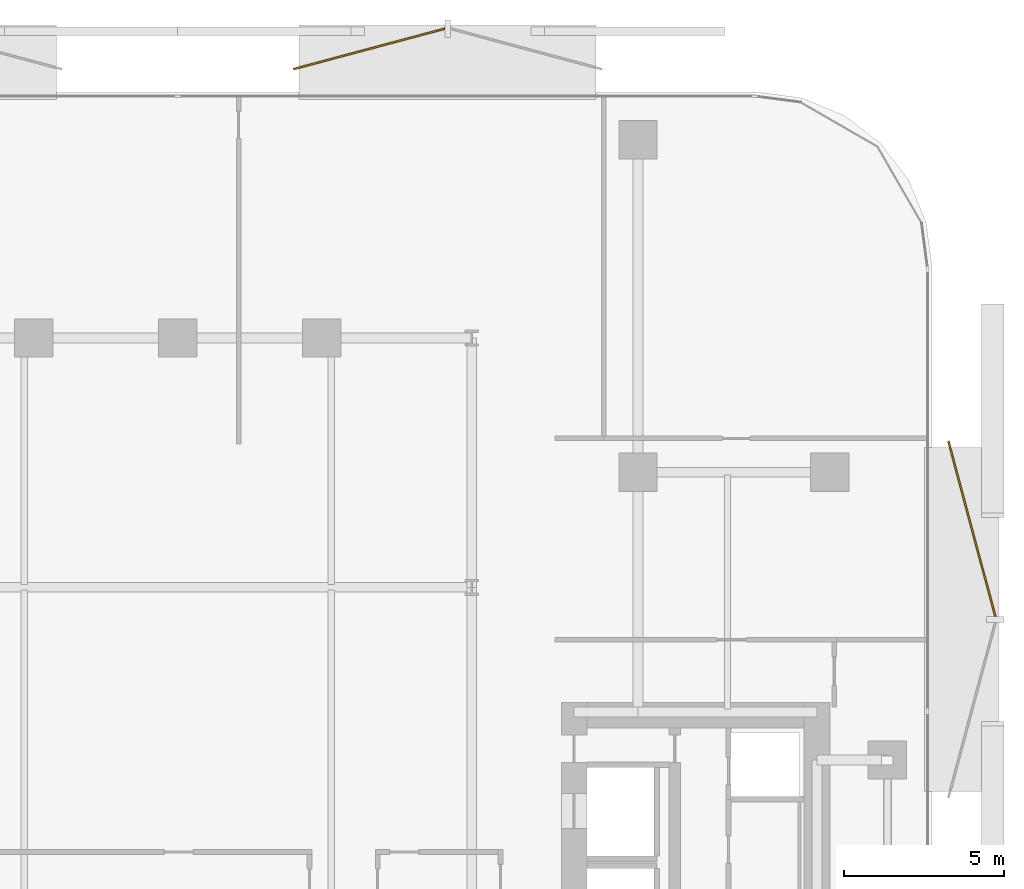
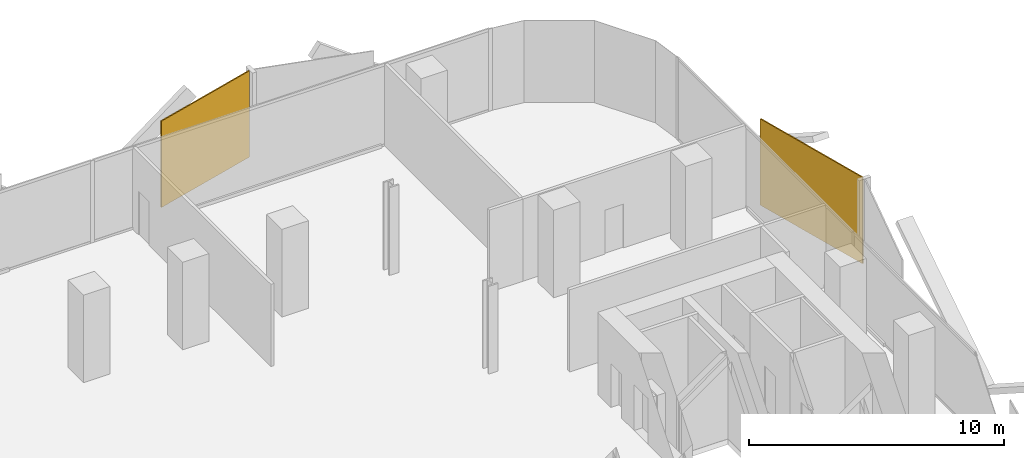
# One storey, part 15 of 15: 2 coverings.
"""IFC4 building model written with IfcOpenShell, lengths in metres."""

import ifcopenshell
import ifcopenshell.guid

model = None  # the IFC model being written
_history = None  # IfcOwnerHistory: only IFC2X3 demands one
_inside = {}  # id of a spatial element -> (the spatial element, [elements in it])
_under = {}  # id of a project, library or spatial element -> (it, [spatial elements below it])
_declared = {}  # id of a project -> (the project, [libraries it declares])
_typed = {}  # id of a type object -> (the type object, [elements of that type])
_made_of = {}  # id of a material, layer set ... -> (it, [elements and type objects made of it])


def new_model(schema):
    """Start an empty IFC model of exactly this schema.

    Asked for "IFC4X3", IfcOpenShell would pick the latest addendum, in which some entities
    have other attributes; the version numbers below select the first issue.
    IFC2X3 requires an IfcOwnerHistory on every rooted entity: one is made here for all.
    """
    global model, _history
    if schema == "IFC4X3":
        model = ifcopenshell.file(schema_version=(4, 3, 0, 0))
    else:
        model = ifcopenshell.file(schema=schema)
    _inside.clear()
    _under.clear()
    _declared.clear()
    _typed.clear()
    _made_of.clear()
    _history = None
    if model.schema == "IFC2X3":
        org = make("IfcOrganization", Name="unknown")
        user = make(
            "IfcPersonAndOrganization",
            ThePerson=make("IfcPerson", FamilyName="unknown"),
            TheOrganization=org,
        )
        app = make(
            "IfcApplication",
            ApplicationDeveloper=org,
            Version="unknown",
            ApplicationFullName="unknown",
            ApplicationIdentifier="unknown",
        )
        _history = make(
            "IfcOwnerHistory",
            OwningUser=user,
            OwningApplication=app,
            ChangeAction="ADDED",
            CreationDate=0,
        )
    return model


def make(cls, **values):
    """One entity of the class cls with the attributes given. An attribute that is None is left unset."""
    return model.create_entity(
        cls, **{name: value for name, value in values.items() if value is not None}
    )


def rooted(cls, **values):
    """An entity with a GlobalId (a new one), such as an element, a storey or a relation."""
    return make(cls, GlobalId=ifcopenshell.guid.new(), OwnerHistory=_history, **values)


def si_unit(unit_type, name, prefix=None):
    """IfcSIUnit, for example si_unit("LENGTHUNIT", "METRE", prefix="MILLI")."""
    return make("IfcSIUnit", UnitType=unit_type, Prefix=prefix, Name=name)


def assignment(units):
    """IfcUnitAssignment: the units of a project."""
    return None if units is None else make("IfcUnitAssignment", Units=units)


def point(xyz):
    """IfcCartesianPoint."""
    return None if xyz is None else make("IfcCartesianPoint", Coordinates=xyz)


def direction(xyz):
    """IfcDirection."""
    return None if xyz is None else make("IfcDirection", DirectionRatios=xyz)


def frame(location, z_axis=None, x_axis=None):
    """IfcAxis2Placement3D, a coordinate frame: its origin and axes. An axis left out is left unset."""
    return make(
        "IfcAxis2Placement3D",
        Location=point(location),
        Axis=direction(z_axis),
        RefDirection=direction(x_axis),
    )


def frame_2d(location, x_axis=None):
    """IfcAxis2Placement2D, a coordinate frame in the plane: its origin and x axis."""
    return make(
        "IfcAxis2Placement2D", Location=point(location), RefDirection=direction(x_axis)
    )


def origin():
    """The frame at (0, 0, 0) with its axes left unset."""
    return frame((0.0, 0.0, 0.0))


def origin_2d():
    """The frame at (0, 0) in the plane with its x axis left unset."""
    return frame_2d((0.0, 0.0))


def place(relative_to, where):
    """IfcLocalPlacement: puts the frame where relative to a parent placement (None: the world)."""
    return make(
        "IfcLocalPlacement", PlacementRelTo=relative_to, RelativePlacement=where
    )


def context(
    kind, dimensions, precision=None, world=None, true_north=None, identifier=None
):
    """IfcGeometricRepresentationContext, for example the 3D "Model" context."""
    return make(
        "IfcGeometricRepresentationContext",
        ContextIdentifier=identifier,
        ContextType=kind,
        CoordinateSpaceDimension=dimensions,
        Precision=precision,
        WorldCoordinateSystem=world,
        TrueNorth=true_north,
    )


def subcontext(parent, identifier, kind, view, scale=None):
    """IfcGeometricRepresentationSubContext, for example "Body" below "Model"."""
    return make(
        "IfcGeometricRepresentationSubContext",
        ContextIdentifier=identifier,
        ContextType=kind,
        ParentContext=parent,
        TargetScale=scale,
        TargetView=view,
    )


def project(units=None, contexts=None):
    """IfcProject with its units and contexts."""
    return rooted(
        "IfcProject",
        Name="project",
        RepresentationContexts=contexts,
        UnitsInContext=assignment(units),
    )


def spatial(cls, under=None, at=None, **own):
    """A site, building, storey or space (cls), placed at a placement, below another one or the project."""
    s = rooted(cls, ObjectPlacement=at, **own)
    if under is not None:
        _under.setdefault(under.id(), (under, []))[1].append(s)
    return s


def profile(cls, at=None, kind="AREA", **sizes):
    """A parametric profile (cls). Its sizes go by their IFC names, for example OverallWidth=200.0."""
    return make(cls, ProfileType=kind, Position=at, **sizes)


def rectangle(**sizes):
    """IfcRectangleProfileDef."""
    return profile("IfcRectangleProfileDef", **sizes)


def extrude(swept, where, along, depth):
    """IfcExtrudedAreaSolid: the profile swept, set in the frame where, extruded along a direction by depth."""
    return make(
        "IfcExtrudedAreaSolid",
        SweptArea=swept,
        Position=where,
        ExtrudedDirection=direction(along),
        Depth=depth,
    )


def shape(context_of_items, identifier, shape_type, items):
    """IfcShapeRepresentation: the items that make up one representation, for example the "Body"."""
    return make(
        "IfcShapeRepresentation",
        ContextOfItems=context_of_items,
        RepresentationIdentifier=identifier,
        RepresentationType=shape_type,
        Items=items,
    )


def material(Name=None, Category=None):
    """IfcMaterial."""
    return make("IfcMaterial", Name=Name, Category=Category)


def layer(
    of_material, thickness, ventilated=None, Name=None, Category=None, Priority=None
):
    """IfcMaterialLayer: one layer of a wall or slab, of a material (None: an air gap)."""
    return make(
        "IfcMaterialLayer",
        Material=of_material,
        LayerThickness=thickness,
        IsVentilated=ventilated,
        Name=Name,
        Category=Category,
        Priority=Priority,
    )


def layer_set(layers, Name=None):
    """IfcMaterialLayerSet."""
    return make("IfcMaterialLayerSet", MaterialLayers=layers, LayerSetName=Name)


def made_of(thing, what):
    """Note that an element or type object is made of a material, layer set ...; save() writes the relation."""
    if what is not None:
        _made_of.setdefault(what.id(), (what, []))[1].append(thing)
    return thing


def type_object(cls, material=None, **own):
    """A type object (cls), such as IfcWallType, which elements share."""
    return made_of(rooted(cls, **own), material)


def element(
    cls,
    number,
    at=None,
    inside=None,
    cuts=None,
    type_object=None,
    material=None,
    context=None,
    identifier="Body",
    shape_type=None,
    held_by="IfcProductDefinitionShape",
    body=None,
    shapes=None,
    **own,
):
    """One element of the class cls, such as IfcWall. Its Tag is "e" and its number.

    at: its placement. inside: the storey or other place that contains it. cuts: it is an
    opening in that element (IfcRelVoidsElement). A single representation is given by context,
    identifier, shape_type and body (its items); several are given by shapes. held_by: the class
    of the entity that holds the representations. save() writes the other relations.
    """
    e = rooted(cls, Tag="e%d" % number, ObjectPlacement=at, **own)
    if body is not None:
        shapes = [shape(context, identifier, shape_type, body)]
    if shapes is not None:
        e.Representation = make(held_by, Representations=shapes)
    if inside is not None:
        _inside.setdefault(inside.id(), (inside, []))[1].append(e)
    if cuts is not None:
        rooted(
            "IfcRelVoidsElement", RelatingBuildingElement=cuts, RelatedOpeningElement=e
        )
    if type_object is not None:
        _typed.setdefault(type_object.id(), (type_object, []))[1].append(e)
    return made_of(e, material)


def aggregate(whole, parts):
    """IfcRelAggregates: a whole, such as a stair, and the parts it consists of."""
    return rooted("IfcRelAggregates", RelatingObject=whole, RelatedObjects=parts)


def save(model, path):
    """Write the relations noted so far, then the file.

    IfcRelAggregates (storeys below a building ...), IfcRelContainedInSpatialStructure (elements
    in a storey), IfcRelDefinesByType, IfcRelAssociatesMaterial and IfcRelDeclares: one each for
    every whole, place, type object, material and project.
    """
    for whole, parts in _under.values():
        aggregate(whole, parts)
    for where, things in _inside.values():
        rooted(
            "IfcRelContainedInSpatialStructure",
            RelatedElements=things,
            RelatingStructure=where,
        )
    for kind, things in _typed.values():
        rooted("IfcRelDefinesByType", RelatedObjects=things, RelatingType=kind)
    for what, things in _made_of.values():
        rooted("IfcRelAssociatesMaterial", RelatedObjects=things, RelatingMaterial=what)
    for by, libraries in _declared.values():
        rooted("IfcRelDeclares", RelatingContext=by, RelatedDefinitions=libraries)
    model.write(path)


model = new_model("IFC4")

# Units and contexts
model_context = context("Model", 3, precision=1e-05, world=origin(), true_north=direction((0.0, 1.0)))
body_context = subcontext(model_context, "Body", "Model", "MODEL_VIEW")
ifc_project = project(units=[si_unit("LENGTHUNIT", "METRE"), si_unit("AREAUNIT", "SQUARE_METRE"), si_unit("VOLUMEUNIT", "CUBIC_METRE"), si_unit("PLANEANGLEUNIT", "RADIAN"), si_unit("MASSUNIT", "GRAM", prefix="KILO")], contexts=[model_context])

# Site, building, storey
site_placement = place(None, origin())
site = spatial("IfcSite", under=ifc_project, at=site_placement, CompositionType="ELEMENT")
building_placement = place(site_placement, origin())
building = spatial("IfcBuilding", under=site, at=building_placement, Name="Khairoan Windgate Tower", CompositionType="ELEMENT")
storey_placement = place(building_placement, frame((0.0, 0.0, 131.0)))
storey = spatial("IfcBuildingStorey", under=building, at=storey_placement, Name="L30", CompositionType="ELEMENT", Elevation=131.0)

# Coverings
ifc_material = material(Name="Anodised Bronze Aluminium 6063-T6", Category="aluminium")
ifc_layer = layer(ifc_material, 0.054931640625, Name="Anodised Bronze Aluminium 6063-T6")
ifc_layer_set = layer_set([ifc_layer], Name="Anodised Bronze Aluminium 6063-T6")
covering_type = type_object("IfcCoveringType", Name="Perforated Bronze-Ceramic Folded Solar Screen Cladding BSC-1", PredefinedType="CLADDING", material=ifc_layer_set)
covering_1_placement = place(storey_placement, frame((5.98974609375, 27.646240234375, -0.10009765625), z_axis=(0.0, 0.0, 1.0), x_axis=(0.965925826289, 0.258819045103, 0.0)))
element("IfcCovering", 1, at=covering_1_placement, inside=storey, type_object=covering_type, Name="L30 Folded Bronze Solar Screen Facet 190L", PredefinedType="CLADDING", context=body_context, shape_type="SweptSolid", body=[
    extrude(rectangle(XDim=4.89794921875, YDim=0.054931640625, at=origin_2d()), origin(), (0.0, 0.0, 1.0), 4.139892578125),
])
covering_2_placement = place(storey_placement, frame((24.8447265625, 12.629150390625, -0.10009765625), z_axis=(0.0, 0.0, 1.0), x_axis=(0.258819045103, -0.965925826289, 0.0)))
element("IfcCovering", 2, at=covering_2_placement, inside=storey, type_object=covering_type, Name="L30 Folded Bronze Solar Screen Facet 191L", PredefinedType="CLADDING", context=body_context, shape_type="SweptSolid", body=[
    extrude(rectangle(XDim=5.680908203125, YDim=0.054931640625, at=origin_2d()), origin(), (0.0, 0.0, 1.0), 4.139892578125),
])

save(model, "model.ifc")
